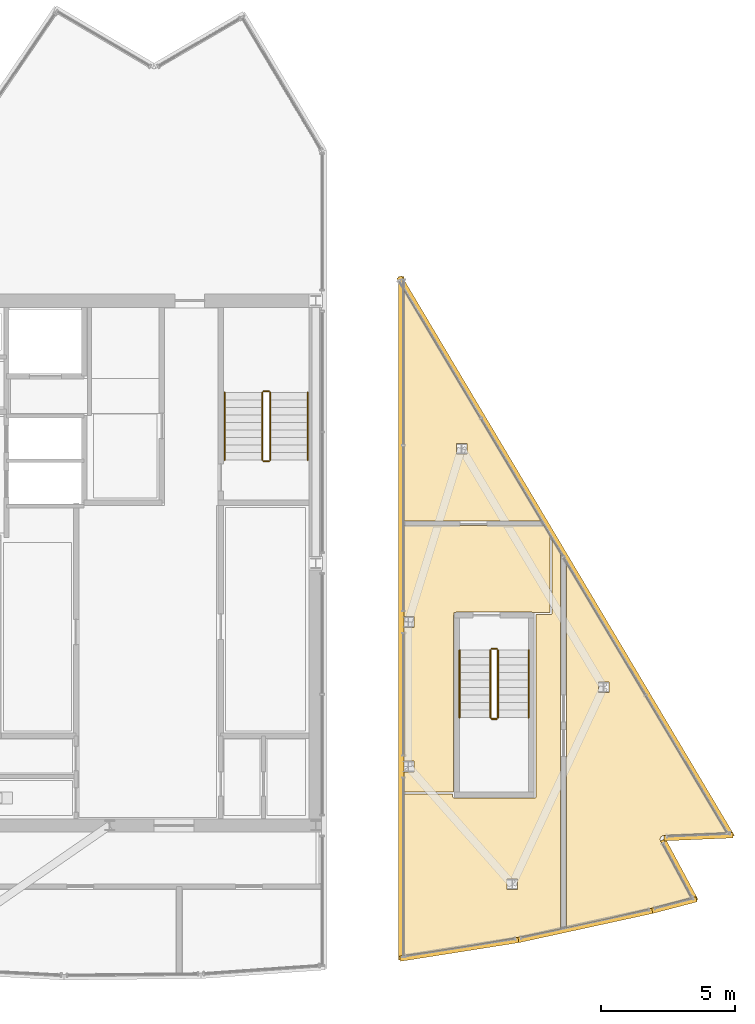
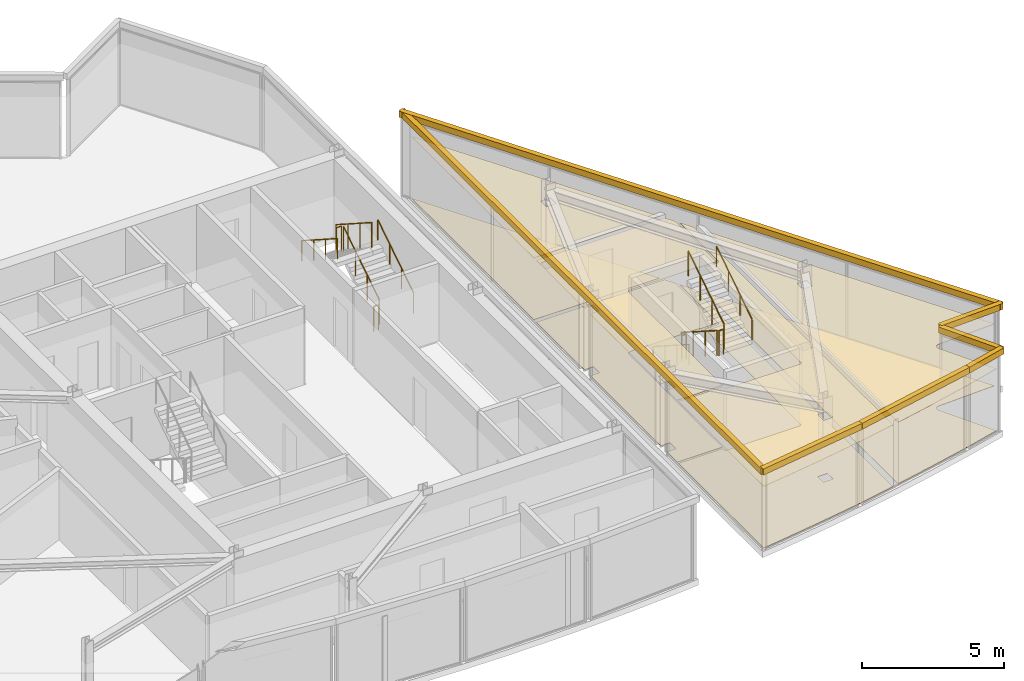
# One storey, part 13 of 15: 15 coverings, 12 railings.
"""IFC4 building model written with IfcOpenShell, lengths in metres."""

from ifc_helpers import new_model, si_unit, direction, frame, origin, origin_2d, place, context, subcontext, project, spatial, polyline, circle, outline, extrude, material, layer, layer_set, type_object, element, save


model = new_model("IFC4")

# Units and contexts
model_context = context("Model", 3, precision=1e-05, world=origin(), true_north=direction((0.0, 1.0)))
body_context = subcontext(model_context, "Body", "Model", "MODEL_VIEW")
ifc_project = project(units=[si_unit("LENGTHUNIT", "METRE"), si_unit("AREAUNIT", "SQUARE_METRE"), si_unit("VOLUMEUNIT", "CUBIC_METRE"), si_unit("PLANEANGLEUNIT", "RADIAN"), si_unit("MASSUNIT", "GRAM", prefix="KILO")], contexts=[model_context])

# Site, building, storey
site_placement = place(None, origin())
site = spatial("IfcSite", under=ifc_project, at=site_placement, CompositionType="ELEMENT")
building_placement = place(site_placement, origin())
building = spatial("IfcBuilding", under=site, at=building_placement, Name="Savorim Split Tower", CompositionType="ELEMENT")
storey_placement = place(building_placement, frame((0.0, 0.0, 304.800048828125)))
storey = spatial("IfcBuildingStorey", under=building, at=storey_placement, Name="Crown L81 Plant", CompositionType="ELEMENT", Elevation=304.800048828125)

# Coverings
ifc_material_1 = material(Name="Mineral Fibre Acoustic Ceiling")
ifc_layer_1 = layer(ifc_material_1, 0.02490234375)
ifc_layer_set_1 = layer_set([ifc_layer_1], Name="COV-CEIL-25")
covering_type_1 = type_object("IfcCoveringType", Name="COV-CEIL-25", PredefinedType="CEILING", material=ifc_layer_set_1)
covering_1_placement = place(storey_placement, frame((0.0, 0.0, 2.659912109375)))
element("IfcCovering", 1, at=covering_1_placement, inside=storey, type_object=covering_type_1, Name="Crown L81 Plant East Crown Plant Corridor Acoustic Ceiling", PredefinedType="CEILING", context=body_context, shape_type="SweptSolid", body=[
    extrude(outline(polyline([(16.21923828125, 1.800048828125), (12.860107421875, 1.800048828125), (10.989990234375, 1.800048828125), (10.989990234375, -1.590087890625), (11.360107421875, -1.590087890625), (11.360107421875, -2.010009765625), (10.989990234375, -2.010009765625), (10.989990234375, -6.989990234375), (11.360107421875, -6.989990234375), (11.360107421875, -7.409912109375), (10.989990234375, -7.409912109375), (10.989990234375, -8.14990234375), (12.840087890625, -8.14990234375), (12.840087890625, -1.60009765625), (12.8408203125, -1.58251953125), (12.843505859375, -1.56494140625), (12.847900390625, -1.547607421875), (12.853759765625, -1.531005859375), (12.860107421875, -1.517822265625), (12.860107421875, -1.449951171875), (12.920654296875, -1.449951171875), (12.93505859375, -1.44140625), (12.951171875, -1.43359375), (12.9677734375, -1.427734375), (12.98486328125, -1.423583984375), (13.00244140625, -1.4208984375), (13.02001953125, -1.419921875), (15.699951171875, -1.419921875), (15.717529296875, -1.4208984375), (15.735107421875, -1.423583984375), (15.752197265625, -1.427734375), (15.768798828125, -1.43359375), (15.784912109375, -1.44140625), (15.79931640625, -1.449951171875), (16.449951171875, -1.449951171875), (16.449951171875, 1.412109375), (16.21923828125, 1.800048828125)])), origin(), (0.0, 0.0, 1.0), 0.025146484375),
])
covering_2_placement = place(storey_placement, frame((0.0, 0.0, 2.659912109375)))
element("IfcCovering", 2, at=covering_2_placement, inside=storey, type_object=covering_type_1, Name="Crown L81 Plant East Cooling Plant Room Acoustic Ceiling", PredefinedType="CEILING", context=body_context, shape_type="SweptSolid", body=[
    extrude(outline(polyline([(11.88525390625, -14.135986328125), (13.56884765625, -13.875732421875), (15.246826171875, -13.580810546875), (16.830078125, -13.26904296875), (16.830078125, 0.6298828125), (16.830078125, 0.749755859375), (16.84375, 0.749755859375), (16.530029296875, 1.27734375), (16.530029296875, -1.449951171875), (16.529541015625, -1.457763671875), (16.528564453125, -1.465576171875), (16.526611328125, -1.47314453125), (16.52392578125, -1.480712890625), (16.5205078125, -1.48779296875), (16.5166015625, -1.494384765625), (16.51171875, -1.500732421875), (16.506591796875, -1.506591796875), (16.500732421875, -1.51171875), (16.494384765625, -1.5166015625), (16.48779296875, -1.5205078125), (16.480712890625, -1.52392578125), (16.47314453125, -1.526611328125), (16.465576171875, -1.528564453125), (16.457763671875, -1.529541015625), (16.449951171875, -1.530029296875), (15.929931640625, -1.530029296875), (15.929931640625, -8.300048828125), (15.9296875, -8.307861328125), (15.928466796875, -8.315673828125), (15.926513671875, -8.3232421875), (15.923828125, -8.33056640625), (15.920654296875, -8.337646484375), (15.91650390625, -8.344482421875), (15.911865234375, -8.350830078125), (15.906494140625, -8.356689453125), (15.90087890625, -8.36181640625), (15.894287109375, -8.366455078125), (15.8876953125, -8.37060546875), (15.880615234375, -8.373779296875), (15.873291015625, -8.376708984375), (15.865478515625, -8.37841796875), (15.85791015625, -8.379638671875), (15.85009765625, -8.3798828125), (12.8798828125, -8.3798828125), (12.872314453125, -8.379638671875), (12.864501953125, -8.37841796875), (12.856689453125, -8.376708984375), (12.849365234375, -8.373779296875), (12.84228515625, -8.37060546875), (12.835693359375, -8.366455078125), (12.8291015625, -8.36181640625), (12.823486328125, -8.356689453125), (12.818115234375, -8.350830078125), (12.8134765625, -8.344482421875), (12.809326171875, -8.337646484375), (12.80615234375, -8.33056640625), (12.803466796875, -8.3232421875), (12.801513671875, -8.315673828125), (12.80029296875, -8.307861328125), (12.800048828125, -8.300048828125), (12.800048828125, -8.22998046875), (10.989990234375, -8.22998046875), (10.989990234375, -14.255859375), (11.88525390625, -14.135986328125)]), holes=[polyline([(14.84228515625, -11.406494140625), (14.84228515625, -11.79638671875), (15.232177734375, -11.79638671875), (15.232177734375, -11.406494140625), (14.84228515625, -11.406494140625)])]), origin(), (0.0, 0.0, 1.0), 0.025146484375),
])
covering_3_placement = place(storey_placement, frame((0.0, 0.0, 2.659912109375)))
element("IfcCovering", 3, at=covering_3_placement, inside=storey, type_object=covering_type_1, Name="Crown L81 Plant East Heat Recovery AHU Plant Room Acoustic Ceiling", PredefinedType="CEILING", context=body_context, shape_type="SweptSolid", body=[
    extrude(outline(polyline([(20.656494140625, -9.783935546875), (20.66943359375, -9.780029296875), (20.6826171875, -9.777587890625), (20.696044921875, -9.7763671875), (23.04345703125, -9.676513671875), (17.070068359375, 0.369384765625), (17.070068359375, -13.21875), (18.5830078125, -12.888427734375), (20.23974609375, -12.4912109375), (21.71728515625, -12.104736328125), (20.57861328125, -9.982421875), (20.57275390625, -9.97021484375), (20.568359375, -9.957763671875), (20.56494140625, -9.944580078125), (20.562744140625, -9.931396484375), (20.56201171875, -9.91796875), (20.5625, -9.904296875), (20.564208984375, -9.89111328125), (20.5673828125, -9.8779296875), (20.57177734375, -9.865234375), (20.5771484375, -9.852783203125), (20.583740234375, -9.84130859375), (20.591552734375, -9.830078125), (20.600341796875, -9.820068359375), (20.610107421875, -9.810791015625), (20.62060546875, -9.80224609375), (20.632080078125, -9.795166015625), (20.64404296875, -9.788818359375), (20.656494140625, -9.783935546875)]), holes=[polyline([(18.250732421875, -4.044921875), (18.250732421875, -4.434814453125), (18.640625, -4.434814453125), (18.640625, -4.044921875), (18.250732421875, -4.044921875)])]), origin(), (0.0, 0.0, 1.0), 0.025146484375),
])
covering_4_placement = place(storey_placement, frame((0.0, 0.0, 2.659912109375)))
element("IfcCovering", 4, at=covering_4_placement, inside=storey, type_object=covering_type_1, Name="Crown L81 Plant East Cooling Plant Room Acoustic Ceiling", PredefinedType="CEILING", context=body_context, shape_type="SweptSolid", body=[
    extrude(outline(polyline([(10.989990234375, 10.59423828125), (10.989990234375, 1.969970703125), (16.1181640625, 1.969970703125), (10.989990234375, 10.59423828125)]), holes=[polyline([(12.94921875, 4.87060546875), (12.94921875, 4.480712890625), (13.33935546875, 4.480712890625), (13.33935546875, 4.87060546875), (12.94921875, 4.87060546875)])]), origin(), (0.0, 0.0, 1.0), 0.025146484375),
])
ifc_material_2 = material(Name="Terracotta Ceramic-Coated Aluminium Fin", Category="masonry")
ifc_layer_2 = layer(ifc_material_2, 0.050048828125)
ifc_layer_set_2 = layer_set([ifc_layer_2], Name="COV-CLAD-TERRA")
covering_type_2 = type_object("IfcCoveringType", Name="COV-CLAD-TERRA", PredefinedType="CLADDING", material=ifc_layer_set_2)
covering_5_placement = place(storey_placement, frame((0.0, 0.0, 3.33984375)))
element("IfcCovering", 5, at=covering_5_placement, inside=storey, type_object=covering_type_2, Name="Crown L81 Plant Sloped Crest Eave Spandrel E1", PredefinedType="CLADDING", context=body_context, shape_type="SweptSolid", body=[
    extrude(outline(polyline([(10.7900390625, 11.103515625), (10.7900390625, -14.416015625), (10.989990234375, -14.416015625), (10.989990234375, 11.103515625), (10.7900390625, 11.103515625)])), origin(), (0.0, 0.0, 1.0), 0.260009765625),
])
covering_6_placement = place(storey_placement, frame((0.0, 0.0, 3.33984375)))
element("IfcCovering", 6, at=covering_6_placement, inside=storey, type_object=covering_type_2, Name="Crown L81 Plant Sloped Crest Eave Spandrel E2", PredefinedType="CLADDING", context=body_context, shape_type="SweptSolid", body=[
    extrude(outline(polyline([(10.859375, -14.47509765625), (15.28173828125, -13.777587890625), (15.250732421875, -13.580078125), (10.828125, -14.277587890625), (10.859375, -14.47509765625)])), origin(), (0.0, 0.0, 1.0), 0.260009765625),
])
covering_7_placement = place(storey_placement, frame((0.0, 0.0, 3.33984375)))
element("IfcCovering", 7, at=covering_7_placement, inside=storey, type_object=covering_type_2, Name="Crown L81 Plant Sloped Crest Eave Spandrel E3", PredefinedType="CLADDING", context=body_context, shape_type="SweptSolid", body=[
    extrude(outline(polyline([(15.285400390625, -13.777099609375), (20.28662109375, -12.685546875), (20.243896484375, -12.490234375), (15.24267578125, -13.58154296875), (15.285400390625, -13.777099609375)])), origin(), (0.0, 0.0, 1.0), 0.260009765625),
])
covering_8_placement = place(storey_placement, frame((0.0, 0.0, 3.33984375)))
element("IfcCovering", 8, at=covering_8_placement, inside=storey, type_object=covering_type_2, Name="Crown L81 Plant Sloped Crest Eave Spandrel E4", PredefinedType="CLADDING", context=body_context, shape_type="SweptSolid", body=[
    extrude(outline(polyline([(20.2890625, -12.68505859375), (21.93994140625, -12.253173828125), (21.889404296875, -12.059814453125), (20.23828125, -12.49169921875), (20.2890625, -12.68505859375)])), origin(), (0.0, 0.0, 1.0), 0.260009765625),
])
covering_9_placement = place(storey_placement, frame((0.0, 0.0, 3.33984375)))
element("IfcCovering", 9, at=covering_9_placement, inside=storey, type_object=covering_type_2, Name="Crown L81 Plant Sloped Crest Eave Spandrel E5", PredefinedType="CLADDING", context=body_context, shape_type="SweptSolid", body=[
    extrude(outline(polyline([(21.977783203125, -12.166748046875), (20.7548828125, -9.887939453125), (20.57861328125, -9.982421875), (21.801513671875, -12.261474609375), (21.977783203125, -12.166748046875)])), origin(), (0.0, 0.0, 1.0), 0.260009765625),
])
covering_10_placement = place(storey_placement, frame((0.0, 0.0, 3.33984375)))
element("IfcCovering", 10, at=covering_10_placement, inside=storey, type_object=covering_type_2, Name="Crown L81 Plant Sloped Crest Eave Spandrel E6", PredefinedType="CLADDING", context=body_context, shape_type="SweptSolid", body=[
    extrude(outline(polyline([(20.70458984375, -9.976318359375), (23.2861328125, -9.8662109375), (23.277587890625, -9.66650390625), (20.696044921875, -9.7763671875), (20.70458984375, -9.976318359375)])), origin(), (0.0, 0.0, 1.0), 0.260009765625),
])
covering_11_placement = place(storey_placement, frame((0.0, 0.0, 3.33984375)))
element("IfcCovering", 11, at=covering_11_placement, inside=storey, type_object=covering_type_2, Name="Crown L81 Plant Sloped Crest Eave Spandrel E7", PredefinedType="CLADDING", context=body_context, shape_type="SweptSolid", body=[
    extrude(outline(polyline([(23.335205078125, -9.775634765625), (10.901611328125, 11.13427734375), (10.729736328125, 11.031982421875), (23.163330078125, -9.8779296875), (23.335205078125, -9.775634765625)])), origin(), (0.0, 0.0, 1.0), 0.260009765625),
])
ifc_material_3 = material(Name="Porcelain Stoneware Flooring", Category="masonry")
ifc_layer_3 = layer(ifc_material_3, 0.02001953125)
ifc_layer_set_3 = layer_set([ifc_layer_3], Name="COV-FLOR-20")
covering_type_3 = type_object("IfcCoveringType", Name="COV-FLOR-20", PredefinedType="FLOORING", material=ifc_layer_set_3)
covering_12_placement = place(storey_placement, origin())
element("IfcCovering", 12, at=covering_12_placement, inside=storey, type_object=covering_type_3, Name="Crown L81 Plant East Crown Plant Corridor Porcelain Flooring", PredefinedType="FLOORING", context=body_context, shape_type="SweptSolid", body=[
    extrude(outline(polyline([(16.21923828125, 1.800048828125), (12.860107421875, 1.800048828125), (10.989990234375, 1.800048828125), (10.989990234375, -1.590087890625), (11.360107421875, -1.590087890625), (11.360107421875, -2.010009765625), (10.989990234375, -2.010009765625), (10.989990234375, -6.989990234375), (11.360107421875, -6.989990234375), (11.360107421875, -7.409912109375), (10.989990234375, -7.409912109375), (10.989990234375, -8.14990234375), (12.840087890625, -8.14990234375), (12.840087890625, -1.60009765625), (12.8408203125, -1.58251953125), (12.843505859375, -1.56494140625), (12.847900390625, -1.547607421875), (12.853759765625, -1.531005859375), (12.860107421875, -1.517822265625), (12.860107421875, -1.449951171875), (12.920654296875, -1.449951171875), (12.93505859375, -1.44140625), (12.951171875, -1.43359375), (12.9677734375, -1.427734375), (12.98486328125, -1.423583984375), (13.00244140625, -1.4208984375), (13.02001953125, -1.419921875), (15.699951171875, -1.419921875), (15.717529296875, -1.4208984375), (15.735107421875, -1.423583984375), (15.752197265625, -1.427734375), (15.768798828125, -1.43359375), (15.784912109375, -1.44140625), (15.79931640625, -1.449951171875), (16.449951171875, -1.449951171875), (16.449951171875, 1.412109375), (16.21923828125, 1.800048828125)])), origin(), (0.0, 0.0, 1.0), 0.02001953125),
])
covering_13_placement = place(storey_placement, origin())
element("IfcCovering", 13, at=covering_13_placement, inside=storey, type_object=covering_type_3, Name="Crown L81 Plant East Cooling Plant Room Porcelain Flooring", PredefinedType="FLOORING", context=body_context, shape_type="SweptSolid", body=[
    extrude(outline(polyline([(11.88525390625, -14.135986328125), (13.56884765625, -13.875732421875), (15.246826171875, -13.580810546875), (16.830078125, -13.26904296875), (16.830078125, 0.6298828125), (16.830078125, 0.749755859375), (16.84375, 0.749755859375), (16.530029296875, 1.27734375), (16.530029296875, -1.449951171875), (16.529541015625, -1.457763671875), (16.528564453125, -1.465576171875), (16.526611328125, -1.47314453125), (16.52392578125, -1.480712890625), (16.5205078125, -1.48779296875), (16.5166015625, -1.494384765625), (16.51171875, -1.500732421875), (16.506591796875, -1.506591796875), (16.500732421875, -1.51171875), (16.494384765625, -1.5166015625), (16.48779296875, -1.5205078125), (16.480712890625, -1.52392578125), (16.47314453125, -1.526611328125), (16.465576171875, -1.528564453125), (16.457763671875, -1.529541015625), (16.449951171875, -1.530029296875), (15.929931640625, -1.530029296875), (15.929931640625, -8.300048828125), (15.9296875, -8.307861328125), (15.928466796875, -8.315673828125), (15.926513671875, -8.3232421875), (15.923828125, -8.33056640625), (15.920654296875, -8.337646484375), (15.91650390625, -8.344482421875), (15.911865234375, -8.350830078125), (15.906494140625, -8.356689453125), (15.90087890625, -8.36181640625), (15.894287109375, -8.366455078125), (15.8876953125, -8.37060546875), (15.880615234375, -8.373779296875), (15.873291015625, -8.376708984375), (15.865478515625, -8.37841796875), (15.85791015625, -8.379638671875), (15.85009765625, -8.3798828125), (12.8798828125, -8.3798828125), (12.872314453125, -8.379638671875), (12.864501953125, -8.37841796875), (12.856689453125, -8.376708984375), (12.849365234375, -8.373779296875), (12.84228515625, -8.37060546875), (12.835693359375, -8.366455078125), (12.8291015625, -8.36181640625), (12.823486328125, -8.356689453125), (12.818115234375, -8.350830078125), (12.8134765625, -8.344482421875), (12.809326171875, -8.337646484375), (12.80615234375, -8.33056640625), (12.803466796875, -8.3232421875), (12.801513671875, -8.315673828125), (12.80029296875, -8.307861328125), (12.800048828125, -8.300048828125), (12.800048828125, -8.22998046875), (10.989990234375, -8.22998046875), (10.989990234375, -14.255859375), (11.88525390625, -14.135986328125)]), holes=[polyline([(14.84228515625, -11.406494140625), (14.84228515625, -11.79638671875), (15.232177734375, -11.79638671875), (15.232177734375, -11.406494140625), (14.84228515625, -11.406494140625)])]), origin(), (0.0, 0.0, 1.0), 0.02001953125),
])
covering_14_placement = place(storey_placement, origin())
element("IfcCovering", 14, at=covering_14_placement, inside=storey, type_object=covering_type_3, Name="Crown L81 Plant East Heat Recovery AHU Plant Room Porcelain Flooring", PredefinedType="FLOORING", context=body_context, shape_type="SweptSolid", body=[
    extrude(outline(polyline([(20.656494140625, -9.783935546875), (20.66943359375, -9.780029296875), (20.6826171875, -9.777587890625), (20.696044921875, -9.7763671875), (23.04345703125, -9.676513671875), (17.070068359375, 0.369384765625), (17.070068359375, -13.21875), (18.5830078125, -12.888427734375), (20.23974609375, -12.4912109375), (21.71728515625, -12.104736328125), (20.57861328125, -9.982421875), (20.57275390625, -9.97021484375), (20.568359375, -9.957763671875), (20.56494140625, -9.944580078125), (20.562744140625, -9.931396484375), (20.56201171875, -9.91796875), (20.5625, -9.904296875), (20.564208984375, -9.89111328125), (20.5673828125, -9.8779296875), (20.57177734375, -9.865234375), (20.5771484375, -9.852783203125), (20.583740234375, -9.84130859375), (20.591552734375, -9.830078125), (20.600341796875, -9.820068359375), (20.610107421875, -9.810791015625), (20.62060546875, -9.80224609375), (20.632080078125, -9.795166015625), (20.64404296875, -9.788818359375), (20.656494140625, -9.783935546875)]), holes=[polyline([(18.250732421875, -4.044921875), (18.250732421875, -4.434814453125), (18.640625, -4.434814453125), (18.640625, -4.044921875), (18.250732421875, -4.044921875)])]), origin(), (0.0, 0.0, 1.0), 0.02001953125),
])
covering_15_placement = place(storey_placement, origin())
element("IfcCovering", 15, at=covering_15_placement, inside=storey, type_object=covering_type_3, Name="Crown L81 Plant East Cooling Plant Room Porcelain Flooring", PredefinedType="FLOORING", context=body_context, shape_type="SweptSolid", body=[
    extrude(outline(polyline([(10.989990234375, 10.59423828125), (10.989990234375, 1.969970703125), (16.1181640625, 1.969970703125), (10.989990234375, 10.59423828125)]), holes=[polyline([(12.94921875, 4.87060546875), (12.94921875, 4.480712890625), (13.33935546875, 4.480712890625), (13.33935546875, 4.87060546875), (12.94921875, 4.87060546875)])]), origin(), (0.0, 0.0, 1.0), 0.02001953125),
])

# Railings
ifc_material_4 = material(Name="Galvanised Painted Steel Balustrade", Category="steel")
railing_type_1 = type_object("IfcRailingType", Name="RLG-HR-900", PredefinedType="HANDRAIL", material=ifc_material_4)
railing_1_placement = place(storey_placement, frame((7.39990234375, 4.25, 0.179931640625)))
element("IfcRailing", 16, at=railing_1_placement, inside=storey, type_object=railing_type_1, Name="Crown L81 Plant ST-2 stair handrail 1", PredefinedType="HANDRAIL", context=body_context, shape_type="SweptSolid", body=[
    extrude(circle(Radius=0.02392578125, at=origin_2d()), frame((0.0, 0.0, 0.8759765625), z_axis=(0.0, 0.841162588446, 0.540782303519), x_axis=(-1.0, 0.0, 0.0)), (0.0, 0.0, 1.0), 2.995849609375),
    extrude(circle(Radius=0.02099609375, at=origin_2d()), origin(), (0.0, 0.0, 1.0), 0.851806640625),
    extrude(circle(Radius=0.02099609375, at=origin_2d()), frame((0.0, 0.840087890625, 0.5400390625)), (0.0, 0.0, 1.0), 0.851806640625),
    extrude(circle(Radius=0.02099609375, at=origin_2d()), frame((0.0, 1.679931640625, 1.080078125)), (0.0, 0.0, 1.0), 0.851806640625),
    extrude(circle(Radius=0.02099609375, at=origin_2d()), frame((0.0, 2.52001953125, 1.6201171875)), (0.0, 0.0, 1.0), 0.851806640625),
])
railing_2_placement = place(storey_placement, frame((4.300048828125, 6.77001953125, 1.97998046875)))
element("IfcRailing", 17, at=railing_2_placement, inside=storey, type_object=railing_type_1, Name="Crown L81 Plant ST-2 stair handrail 2", PredefinedType="HANDRAIL", context=body_context, shape_type="SweptSolid", body=[
    extrude(circle(Radius=0.02392578125, at=origin_2d()), frame((0.0, 0.0, 0.8759765625), z_axis=(0.0, -0.841199657755, 0.540724639528), x_axis=(1.0, 0.0, 0.0)), (0.0, 0.0, 1.0), 2.995849609375),
    extrude(circle(Radius=0.02099609375, at=origin_2d()), origin(), (0.0, 0.0, 1.0), 0.851806640625),
    extrude(circle(Radius=0.02099609375, at=origin_2d()), frame((0.0, -0.840087890625, 0.5400390625)), (0.0, 0.0, 1.0), 0.851806640625),
    extrude(circle(Radius=0.02099609375, at=origin_2d()), frame((0.0, -1.679931640625, 1.079833984375)), (0.0, 0.0, 1.0), 0.851806640625),
    extrude(circle(Radius=0.02099609375, at=origin_2d()), frame((0.0, -2.52001953125, 1.619873046875)), (0.0, 0.0, 1.0), 0.851806640625),
])
railing_3_placement = place(storey_placement, frame((13.070068359375, -2.85009765625, 0.179931640625)))
element("IfcRailing", 18, at=railing_3_placement, inside=storey, type_object=railing_type_1, Name="Crown L81 Plant ST-CRN-E stair handrail 1", PredefinedType="HANDRAIL", context=body_context, shape_type="SweptSolid", body=[
    extrude(circle(Radius=0.02392578125, at=origin_2d()), frame((0.0, 0.0, 0.8759765625), z_axis=(0.0, -0.841162588446, 0.540782303519), x_axis=(1.0, 0.0, 0.0)), (0.0, 0.0, 1.0), 2.995849609375),
    extrude(circle(Radius=0.02099609375, at=origin_2d()), origin(), (0.0, 0.0, 1.0), 0.851806640625),
    extrude(circle(Radius=0.02099609375, at=origin_2d()), frame((0.0, -0.840087890625, 0.5400390625)), (0.0, 0.0, 1.0), 0.851806640625),
    extrude(circle(Radius=0.02099609375, at=origin_2d()), frame((0.0, -1.679931640625, 1.080078125)), (0.0, 0.0, 1.0), 0.851806640625),
    extrude(circle(Radius=0.02099609375, at=origin_2d()), frame((0.0, -2.52001953125, 1.6201171875)), (0.0, 0.0, 1.0), 0.851806640625),
])
railing_4_placement = place(storey_placement, frame((15.64990234375, -5.3701171875, 1.97998046875)))
element("IfcRailing", 19, at=railing_4_placement, inside=storey, type_object=railing_type_1, Name="Crown L81 Plant ST-CRN-E stair handrail 2", PredefinedType="HANDRAIL", context=body_context, shape_type="SweptSolid", body=[
    extrude(circle(Radius=0.02392578125, at=origin_2d()), frame((0.0, 0.0, 0.8759765625), z_axis=(0.0, 0.841199657755, 0.540724639528), x_axis=(-1.0, 0.0, 0.0)), (0.0, 0.0, 1.0), 2.995849609375),
    extrude(circle(Radius=0.02099609375, at=origin_2d()), origin(), (0.0, 0.0, 1.0), 0.851806640625),
    extrude(circle(Radius=0.02099609375, at=origin_2d()), frame((0.0, 0.840087890625, 0.5400390625)), (0.0, 0.0, 1.0), 0.851806640625),
    extrude(circle(Radius=0.02099609375, at=origin_2d()), frame((0.0, 1.679931640625, 1.079833984375)), (0.0, 0.0, 1.0), 0.851806640625),
    extrude(circle(Radius=0.02099609375, at=origin_2d()), frame((0.0, 2.52001953125, 1.619873046875)), (0.0, 0.0, 1.0), 0.851806640625),
])
railing_type_2 = type_object("IfcRailingType", Name="RLG-STG-1100", PredefinedType="BALUSTRADE", material=ifc_material_4)
railing_5_placement = place(storey_placement, frame((6.0, 4.25, 0.179931640625)))
element("IfcRailing", 20, at=railing_5_placement, inside=storey, type_object=railing_type_2, Name="Crown L81 Plant ST-2 stair guard 1", PredefinedType="BALUSTRADE", context=body_context, shape_type="SweptSolid", body=[
    extrude(circle(Radius=0.02392578125, at=origin_2d()), frame((0.0, 0.0, 1.076171875), z_axis=(0.0, 0.841162588446, 0.540782303519), x_axis=(-1.0, 0.0, 0.0)), (0.0, 0.0, 1.0), 2.995849609375),
    extrude(circle(Radius=0.02099609375, at=origin_2d()), origin(), (0.0, 0.0, 1.0), 1.052001953125),
    extrude(circle(Radius=0.02099609375, at=origin_2d()), frame((0.0, 0.840087890625, 0.5400390625)), (0.0, 0.0, 1.0), 1.052001953125),
    extrude(circle(Radius=0.02099609375, at=origin_2d()), frame((0.0, 1.679931640625, 1.080078125)), (0.0, 0.0, 1.0), 1.052001953125),
    extrude(circle(Radius=0.02099609375, at=origin_2d()), frame((0.0, 2.52001953125, 1.6201171875)), (0.0, 0.0, 1.0), 1.052001953125),
])
railing_6_placement = place(storey_placement, frame((5.949951171875, 6.820068359375, 1.800048828125)))
element("IfcRailing", 21, at=railing_6_placement, inside=storey, type_object=railing_type_2, Name="Crown L81 Plant ST-2 stair guard 2", PredefinedType="BALUSTRADE", context=body_context, shape_type="SweptSolid", body=[
    extrude(circle(Radius=0.02392578125, at=origin_2d()), frame((0.0, 0.0, 1.076171875), z_axis=(-1.0, 0.0, 0.0), x_axis=(0.0, -1.0, 0.0)), (0.0, 0.0, 1.0), 0.199951171875),
    extrude(circle(Radius=0.02099609375, at=origin_2d()), origin(), (0.0, 0.0, 1.0), 1.052001953125),
    extrude(circle(Radius=0.02099609375, at=origin_2d()), frame((-0.199951171875, 0.0, 0.0)), (0.0, 0.0, 1.0), 1.052001953125),
])
railing_7_placement = place(storey_placement, frame((5.699951171875, 6.77001953125, 1.97998046875)))
element("IfcRailing", 22, at=railing_7_placement, inside=storey, type_object=railing_type_2, Name="Crown L81 Plant ST-2 stair guard 3", PredefinedType="BALUSTRADE", context=body_context, shape_type="SweptSolid", body=[
    extrude(circle(Radius=0.02392578125, at=origin_2d()), frame((0.0, 0.0, 1.076171875), z_axis=(0.0, -0.841199657755, 0.540724639528), x_axis=(1.0, 0.0, 0.0)), (0.0, 0.0, 1.0), 2.995849609375),
    extrude(circle(Radius=0.02099609375, at=origin_2d()), origin(), (0.0, 0.0, 1.0), 1.052001953125),
    extrude(circle(Radius=0.02099609375, at=origin_2d()), frame((0.0, -0.840087890625, 0.5400390625)), (0.0, 0.0, 1.0), 1.052001953125),
    extrude(circle(Radius=0.02099609375, at=origin_2d()), frame((0.0, -1.679931640625, 1.079833984375)), (0.0, 0.0, 1.0), 1.052001953125),
    extrude(circle(Radius=0.02099609375, at=origin_2d()), frame((0.0, -2.52001953125, 1.619873046875)), (0.0, 0.0, 1.0), 1.052001953125),
])
railing_8_placement = place(storey_placement, frame((5.949951171875, 4.199951171875, 0.0)))
element("IfcRailing", 23, at=railing_8_placement, inside=storey, type_object=railing_type_2, Name="Crown L81 Plant ST-2 stair guard 4", PredefinedType="BALUSTRADE", context=body_context, shape_type="SweptSolid", body=[
    extrude(circle(Radius=0.02392578125, at=origin_2d()), frame((0.0, 0.0, 1.076171875), z_axis=(-1.0, 0.0, 0.0), x_axis=(0.0, -1.0, 0.0)), (0.0, 0.0, 1.0), 0.199951171875),
    extrude(circle(Radius=0.02099609375, at=origin_2d()), origin(), (0.0, 0.0, 1.0), 1.052001953125),
    extrude(circle(Radius=0.02099609375, at=origin_2d()), frame((-0.199951171875, 0.0, 0.0)), (0.0, 0.0, 1.0), 1.052001953125),
])
railing_9_placement = place(storey_placement, frame((14.219970703125, -2.85009765625, 0.179931640625)))
element("IfcRailing", 24, at=railing_9_placement, inside=storey, type_object=railing_type_2, Name="Crown L81 Plant ST-CRN-E stair guard 1", PredefinedType="BALUSTRADE", context=body_context, shape_type="SweptSolid", body=[
    extrude(circle(Radius=0.02392578125, at=origin_2d()), frame((0.0, 0.0, 1.076171875), z_axis=(0.0, -0.841162588446, 0.540782303519), x_axis=(1.0, 0.0, 0.0)), (0.0, 0.0, 1.0), 2.995849609375),
    extrude(circle(Radius=0.02099609375, at=origin_2d()), origin(), (0.0, 0.0, 1.0), 1.052001953125),
    extrude(circle(Radius=0.02099609375, at=origin_2d()), frame((0.0, -0.840087890625, 0.5400390625)), (0.0, 0.0, 1.0), 1.052001953125),
    extrude(circle(Radius=0.02099609375, at=origin_2d()), frame((0.0, -1.679931640625, 1.080078125)), (0.0, 0.0, 1.0), 1.052001953125),
    extrude(circle(Radius=0.02099609375, at=origin_2d()), frame((0.0, -2.52001953125, 1.6201171875)), (0.0, 0.0, 1.0), 1.052001953125),
])
railing_10_placement = place(storey_placement, frame((14.27001953125, -5.419921875, 1.800048828125)))
element("IfcRailing", 25, at=railing_10_placement, inside=storey, type_object=railing_type_2, Name="Crown L81 Plant ST-CRN-E stair guard 2", PredefinedType="BALUSTRADE", context=body_context, shape_type="SweptSolid", body=[
    extrude(circle(Radius=0.02392578125, at=origin_2d()), frame((0.0, 0.0, 1.076171875), z_axis=(1.0, 0.0, 0.0), x_axis=(0.0, 1.0, 0.0)), (0.0, 0.0, 1.0), 0.179931640625),
    extrude(circle(Radius=0.02099609375, at=origin_2d()), origin(), (0.0, 0.0, 1.0), 1.052001953125),
    extrude(circle(Radius=0.02099609375, at=origin_2d()), frame((0.179931640625, 0.0, 0.0)), (0.0, 0.0, 1.0), 1.052001953125),
])
railing_11_placement = place(storey_placement, frame((14.5, -5.3701171875, 1.97998046875)))
element("IfcRailing", 26, at=railing_11_placement, inside=storey, type_object=railing_type_2, Name="Crown L81 Plant ST-CRN-E stair guard 3", PredefinedType="BALUSTRADE", context=body_context, shape_type="SweptSolid", body=[
    extrude(circle(Radius=0.02392578125, at=origin_2d()), frame((0.0, 0.0, 1.076171875), z_axis=(0.0, 0.841199657755, 0.540724639528), x_axis=(-1.0, 0.0, 0.0)), (0.0, 0.0, 1.0), 2.995849609375),
    extrude(circle(Radius=0.02099609375, at=origin_2d()), origin(), (0.0, 0.0, 1.0), 1.052001953125),
    extrude(circle(Radius=0.02099609375, at=origin_2d()), frame((0.0, 0.840087890625, 0.5400390625)), (0.0, 0.0, 1.0), 1.052001953125),
    extrude(circle(Radius=0.02099609375, at=origin_2d()), frame((0.0, 1.679931640625, 1.079833984375)), (0.0, 0.0, 1.0), 1.052001953125),
    extrude(circle(Radius=0.02099609375, at=origin_2d()), frame((0.0, 2.52001953125, 1.619873046875)), (0.0, 0.0, 1.0), 1.052001953125),
])
railing_12_placement = place(storey_placement, frame((14.27001953125, -2.800048828125, 0.0)))
element("IfcRailing", 27, at=railing_12_placement, inside=storey, type_object=railing_type_2, Name="Crown L81 Plant ST-CRN-E stair guard 4", PredefinedType="BALUSTRADE", context=body_context, shape_type="SweptSolid", body=[
    extrude(circle(Radius=0.02392578125, at=origin_2d()), frame((0.0, 0.0, 1.076171875), z_axis=(1.0, 0.0, 0.0), x_axis=(0.0, 1.0, 0.0)), (0.0, 0.0, 1.0), 0.179931640625),
    extrude(circle(Radius=0.02099609375, at=origin_2d()), origin(), (0.0, 0.0, 1.0), 1.052001953125),
    extrude(circle(Radius=0.02099609375, at=origin_2d()), frame((0.179931640625, 0.0, 0.0)), (0.0, 0.0, 1.0), 1.052001953125),
])

save(model, "model.ifc")
